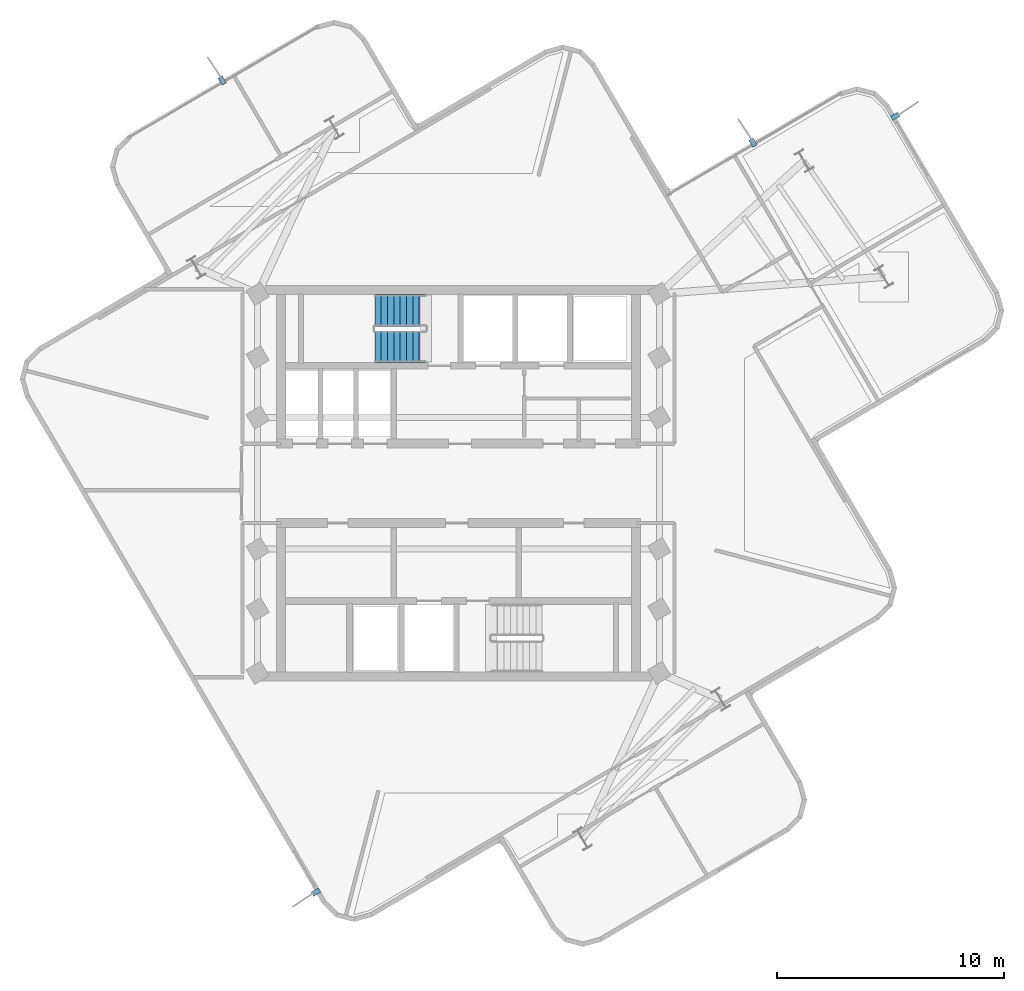
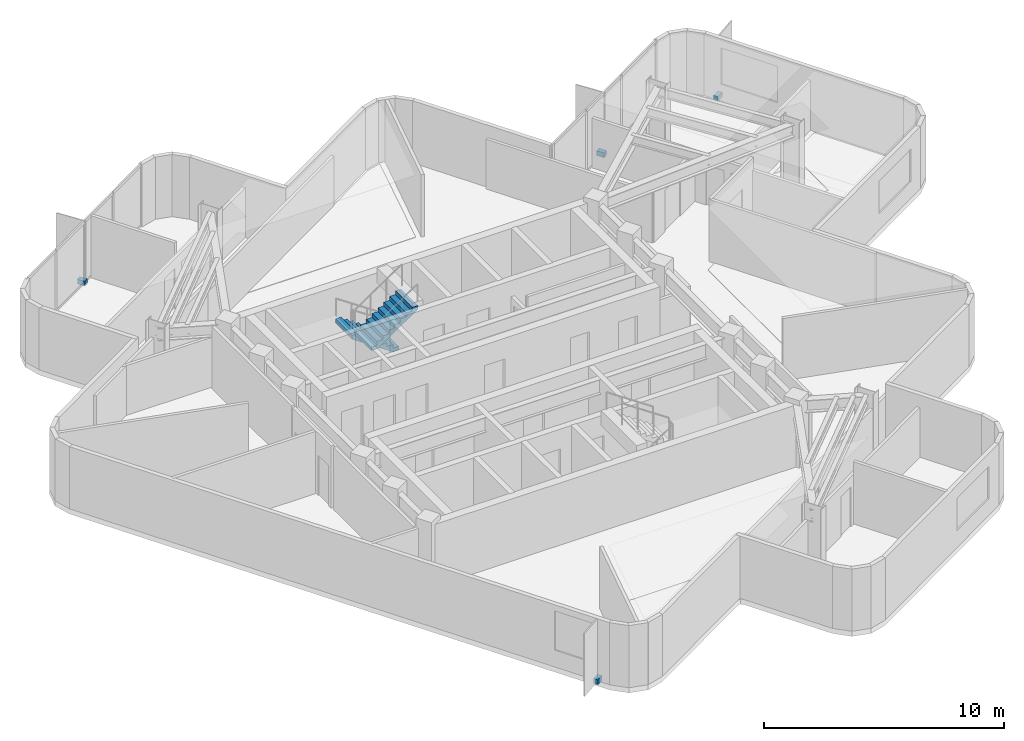
# One storey, part 6 of 8: 4 discrete accessories, 2 stair flights, 1 element without a shape of its own.
"""IFC4 building model written with IfcOpenShell, lengths in metres."""

from ifc_helpers import new_model, si_unit, direction, frame, origin, origin_2d, place, context, subcontext, project, spatial, polyline, rectangle, outline, extrude, material, type_object, element, aggregate, save


model = new_model("IFC4")

# Units and contexts
model_context = context("Model", 3, precision=1e-05, world=origin(), true_north=direction((0.0, 1.0)))
body_context = subcontext(model_context, "Body", "Model", "MODEL_VIEW")
ifc_project = project(units=[si_unit("LENGTHUNIT", "METRE"), si_unit("AREAUNIT", "SQUARE_METRE"), si_unit("VOLUMEUNIT", "CUBIC_METRE"), si_unit("PLANEANGLEUNIT", "RADIAN"), si_unit("MASSUNIT", "GRAM", prefix="KILO")], contexts=[model_context])

# Site, building, storey
site_placement = place(None, origin())
site = spatial("IfcSite", under=ifc_project, at=site_placement, CompositionType="ELEMENT")
building_placement = place(site_placement, origin())
building = spatial("IfcBuilding", under=site, at=building_placement, Name="Solmarez Civic Tower", CompositionType="ELEMENT")
storey_placement = place(building_placement, frame((0.0, 0.0, 205.199951171875)))
storey = spatial("IfcBuildingStorey", under=building, at=storey_placement, Name="L54", CompositionType="ELEMENT", Elevation=205.199951171875)

# Stair, stair flights
ifc_material_1 = material(Name="Concrete C50/60", Category="concrete")
stair_type = type_object("IfcStairType", Name="STAIR-DOGLEG-140W-18R-1900", PredefinedType="HALF_TURN_STAIR", material=ifc_material_1)
stair_placement = place(storey_placement, origin())
stair = element("IfcStair", 1, at=stair_placement, inside=storey, type_object=stair_type, Name="L54 North Core Protected Exit Stair ST-1", PredefinedType="HALF_TURN_STAIR")
stair_flight_type = type_object("IfcStairFlightType", Name="FLIGHT-DOGLEG-140W-9R-1900", PredefinedType="STRAIGHT", material=ifc_material_1)
stair_flight_1_placement = place(storey_placement, frame((-1.449951171875, 7.6201171875, 0.0), z_axis=(0.0, 0.0, 1.0), x_axis=(-1.0, 0.0, 0.0)))
stair_flight_1 = element("IfcStairFlight", 2, at=stair_flight_1_placement, type_object=stair_flight_type, Name="ST-1 flight 1", NumberOfRisers=9, NumberOfTreads=8, PredefinedType="STRAIGHT", RiserHeight=0.19, TreadLength=0.28, context=body_context, shape_type="SweptSolid", body=[
    extrude(outline(polyline([(0.0, 0.0), (0.0, 0.18994140625), (0.280029296875, 0.18994140625), (0.280029296875, 0.3798828125), (0.56005859375, 0.3798828125), (0.56005859375, 0.570068359375), (0.840087890625, 0.570068359375), (0.840087890625, 0.760009765625), (1.1201171875, 0.760009765625), (1.1201171875, 0.949951171875), (1.39990234375, 0.949951171875), (1.39990234375, 1.139892578125), (1.679931640625, 1.139892578125), (1.679931640625, 1.330078125), (1.9599609375, 1.330078125), (1.9599609375, 1.52001953125), (2.239990234375, 1.52001953125), (2.239990234375, 1.7099609375), (2.239990234375, 1.32666015625), (0.284912109375, 0.0), (0.0, 0.0)])), frame((0.0, 0.699951171875, 0.0), z_axis=(0.0, -1.0, 0.0), x_axis=(1.0, 0.0, 0.0)), (0.0, 0.0, 1.0), 1.39990234375),
])
stair_flight_2_placement = place(storey_placement, frame((-3.68994140625, 6.02001953125, 1.7099609375), z_axis=(0.0, 0.0, 1.0), x_axis=(1.0, 0.0, 0.0)))
stair_flight_2 = element("IfcStairFlight", 3, at=stair_flight_2_placement, type_object=stair_flight_type, Name="ST-1 flight 2", NumberOfRisers=9, NumberOfTreads=8, PredefinedType="STRAIGHT", RiserHeight=0.19, TreadLength=0.28, context=body_context, shape_type="SweptSolid", body=[
    extrude(outline(polyline([(0.0, 0.0), (0.0, 0.18994140625), (0.280029296875, 0.18994140625), (0.280029296875, 0.3798828125), (0.56005859375, 0.3798828125), (0.56005859375, 0.570068359375), (0.840087890625, 0.570068359375), (0.840087890625, 0.760009765625), (1.1201171875, 0.760009765625), (1.1201171875, 0.949951171875), (1.39990234375, 0.949951171875), (1.39990234375, 1.139892578125), (1.679931640625, 1.139892578125), (1.679931640625, 1.330078125), (1.9599609375, 1.330078125), (1.9599609375, 1.52001953125), (2.239990234375, 1.52001953125), (2.239990234375, 1.7099609375), (2.239990234375, 1.32666015625), (0.284912109375, 0.0), (0.0, 0.0)])), frame((0.0, 0.699951171875, 0.0), z_axis=(0.0, -1.0, 0.0), x_axis=(1.0, 0.0, 0.0)), (0.0, 0.0, 1.0), 1.39990234375),
])
aggregate(stair, [stair_flight_1, stair_flight_2])

# Discrete accessories
ifc_material_2 = material(Name="Stainless Steel Grade 1.4401", Category="steel")
discrete_accessory_type = type_object("IfcDiscreteAccessoryType", Name="BRACKET-SS-FIN", PredefinedType="BRACKET", material=ifc_material_2)
for number, where, z_axis, x_axis, name in (
    (4, (-6.277099609375, -18.014892578125, -0.06005859375), (0.0, 0.0, 1.0), (-0.862508936292, -0.506041831093, 0.0), "L54 Stainless Fin Support Bracket FIN-L54-01"),
    (5, (-10.4140625, 17.75, -0.06005859375), (0.0, 0.0, 1.0), (-0.506084029911, 0.862484176475, 0.0), "L54 Stainless Fin Support Bracket FIN-L54-02"),
    (6, (12.97900390625, 15.012939453125, -0.06005859375), (0.0, 0.0, 1.0), (-0.50591923643, 0.862580851985, 0.0), "L54 Stainless Fin Support Bracket FIN-L54-03"),
    (7, (19.241943359375, 16.173095703125, -0.06005859375), (0.0, 0.0, 1.0), (0.862556511529, 0.505960734068, 0.0), "L54 Stainless Fin Support Bracket FIN-L54-04"),
):
    element("IfcDiscreteAccessory", number, at=place(storey_placement, frame(where, z_axis=z_axis, x_axis=x_axis)), inside=storey, type_object=discrete_accessory_type, Name=name, PredefinedType="BRACKET", context=body_context, shape_type="SweptSolid", body=[
        extrude(rectangle(XDim=0.360107421875, YDim=0.219970703125, at=origin_2d()), origin(), (0.0, 0.0, 1.0), 0.239990234375),
    ])

save(model, "model.ifc")
